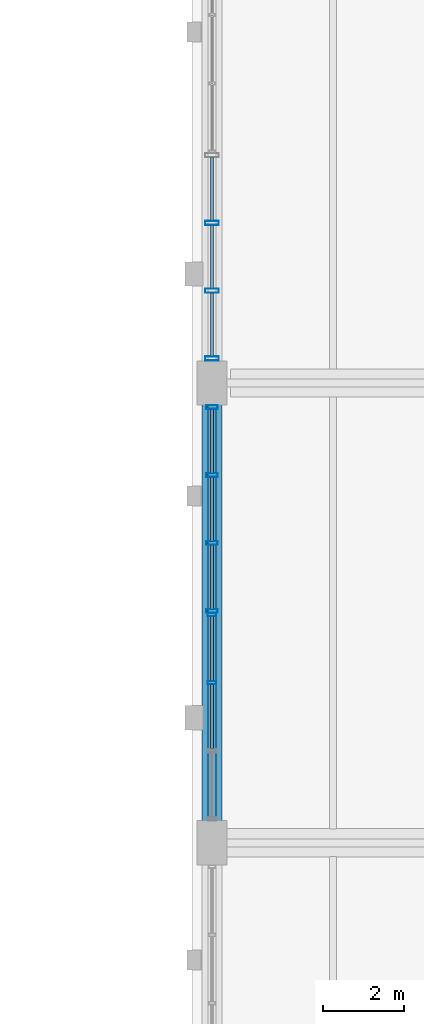
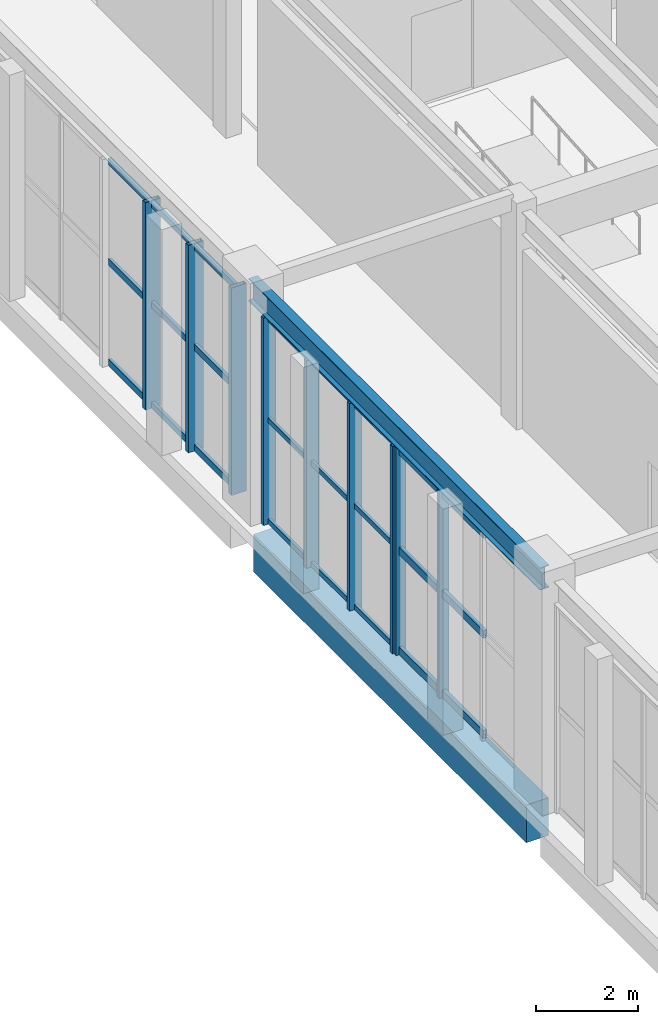
# One storey, part 45 of 113: 33 members, 2 beams, 3 elements without a shape of their own.
"""IFC4 building model written with IfcOpenShell, lengths in metres."""

from ifc_helpers import new_model, si_unit, direction, frame, origin, origin_2d, place, context, subcontext, project, spatial, rectangle, hollow_rectangle, i_section, extrude, material, layer, layer_set, material_profile, profile_set, type_object, element, aggregate, save


model = new_model("IFC4")

# Units and contexts
model_context = context("Model", 3, precision=1e-05, world=origin(), true_north=direction((0.0, 1.0)))
body_context = subcontext(model_context, "Body", "Model", "MODEL_VIEW")
ifc_project = project(units=[si_unit("LENGTHUNIT", "METRE"), si_unit("AREAUNIT", "SQUARE_METRE"), si_unit("VOLUMEUNIT", "CUBIC_METRE"), si_unit("PLANEANGLEUNIT", "RADIAN"), si_unit("MASSUNIT", "GRAM", prefix="KILO"), si_unit("POWERUNIT", "WATT"), si_unit("THERMODYNAMICTEMPERATUREUNIT", "KELVIN")], contexts=[model_context])

# Site, building, storey
site_placement = place(None, origin())
site = spatial("IfcSite", under=ifc_project, at=site_placement, CompositionType="ELEMENT")
building_placement = place(site_placement, origin())
building = spatial("IfcBuilding", under=site, at=building_placement, Name="Kelmbourne Parkland Aquatics Centre", CompositionType="ELEMENT")
storey_placement = place(building_placement, origin())
storey = spatial("IfcBuildingStorey", under=building, at=storey_placement, Name="L00", CompositionType="ELEMENT", Elevation=0.0)

# Beams
ifc_material_1 = material(Name="Concrete C40/50", Category="concrete")
ifc_material_profile_1 = material_profile(ifc_material_1, rectangle(XDim=0.5, YDim=0.89990234375, at=origin_2d()), Name="RC 500x900")
ifc_profile_set_1 = profile_set([ifc_material_profile_1], Name="Concrete C40/50")
beam_type_1 = type_object("IfcBeamType", Name="BM-G03", PredefinedType="BEAM", material=ifc_profile_set_1)
beam_1_placement = place(storey_placement, frame((96.0, 46.679931640625, -0.72998046875), z_axis=(0.0, 1.0, 0.0), x_axis=(-1.0, 0.0, 0.0)))
element("IfcBeam", 1, at=beam_1_placement, inside=storey, type_object=beam_type_1, Name="Primary girder 06-08 Grid L (L00)", PredefinedType="BEAM", context=body_context, shape_type="SweptSolid", body=[
    extrude(rectangle(XDim=0.5, YDim=0.89990234375, at=origin_2d()), origin(), (0.0, 0.0, 1.0), 10.6650390625),
])
ifc_material_2 = material(Name="Structural steel AS/NZS 3679.1 Grade 300", Category="steel")
ifc_material_profile_2 = material_profile(ifc_material_2, i_section(OverallWidth=0.208984375, OverallDepth=0.532958984375, WebThickness=0.01025390625, FlangeThickness=0.015625, at=origin_2d()), Name="530UB92.4")
ifc_profile_set_2 = profile_set([ifc_material_profile_2], Name="Structural steel AS/NZS 3679.1 Grade 300")
beam_type_2 = type_object("IfcBeamType", Name="BM-SP02", PredefinedType="SPANDREL", material=ifc_profile_set_2)
beam_2_placement = place(storey_placement, frame((96.0, 46.39990234375, 5.2333984375), z_axis=(0.0, 1.0, 0.0), x_axis=(-1.0, 0.0, 0.0)))
element("IfcBeam", 2, at=beam_2_placement, inside=storey, type_object=beam_type_2, Name="Perimeter spandrel 06-08 Grid L (L01_COL)", PredefinedType="SPANDREL", context=body_context, shape_type="SweptSolid", body=[
    extrude(i_section(OverallWidth=0.208984375, OverallDepth=0.532958984375, WebThickness=0.01025390625, FlangeThickness=0.015625, at=origin_2d()), origin(), (0.0, 0.0, 1.0), 11.400146484375),
])

# Curtain wall, members
ifc_material_3 = material(Name="Thermally broken anodised aluminium framing", Category="aluminium")
ifc_layer_1 = layer(ifc_material_3, 0.179931640625)
ifc_layer_set_1 = layer_set([ifc_layer_1], Name="Thermally broken anodised aluminium framing")
curtain_wall_type_1 = type_object("IfcCurtainWallType", Name="CW-14", PredefinedType="NOTDEFINED", material=ifc_layer_set_1)
curtain_wall_1_placement = place(storey_placement, origin())
curtain_wall_1 = element("IfcCurtainWall", 3, at=curtain_wall_1_placement, inside=storey, type_object=curtain_wall_type_1, Name="Facade curtain wall CW-L00-182", PredefinedType="NOTDEFINED")
ifc_material_profile_3 = material_profile(ifc_material_3, hollow_rectangle(XDim=0.0849609375, YDim=0.219970703125, WallThickness=0.0048828125, at=origin_2d()), Name="CW-M 85x220")
ifc_profile_set_3 = profile_set([ifc_material_profile_3], Name="Thermally broken anodised aluminium framing")
member_type_1 = type_object("IfcMemberType", Name="MB-MUL-3", PredefinedType="MULLION", material=ifc_profile_set_3)
member_1_placement = place(storey_placement, frame((96.0, 50.369873046875, 0.0), z_axis=(0.0, 0.0, 1.0), x_axis=(0.0, 1.0, 0.0)))
member_1 = element("IfcMember", 4, at=member_1_placement, type_object=member_type_1, Name="CW-L00-182 mullion 2", PredefinedType="MULLION", context=body_context, shape_type="SweptSolid", body=[
    extrude(hollow_rectangle(XDim=0.0849609375, YDim=0.219970703125, WallThickness=0.0048828125, at=origin_2d()), origin(), (0.0, 0.0, 1.0), 4.951904296875),
])
member_2_placement = place(storey_placement, frame((96.0, 52.0576171875, 0.0), z_axis=(0.0, 0.0, 1.0), x_axis=(0.0, 1.0, 0.0)))
member_2 = element("IfcMember", 5, at=member_2_placement, type_object=member_type_1, Name="CW-L00-182 mullion 3", PredefinedType="MULLION", context=body_context, shape_type="SweptSolid", body=[
    extrude(hollow_rectangle(XDim=0.0849609375, YDim=0.219970703125, WallThickness=0.0048828125, at=origin_2d()), origin(), (0.0, 0.0, 1.0), 4.951904296875),
])

ifc_layer_2 = layer(ifc_material_3, 0.179931640625)
ifc_layer_set_2 = layer_set([ifc_layer_2], Name="Thermally broken anodised aluminium framing")
curtain_wall_type_2 = type_object("IfcCurtainWallType", Name="CW-15", PredefinedType="NOTDEFINED", material=ifc_layer_set_2)
curtain_wall_2_placement = place(storey_placement, origin())
curtain_wall_2 = element("IfcCurtainWall", 6, at=curtain_wall_2_placement, inside=storey, type_object=curtain_wall_type_2, Name="Facade curtain wall CW-L00-183", PredefinedType="NOTDEFINED")
ifc_material_profile_4 = material_profile(ifc_material_3, hollow_rectangle(XDim=0.094970703125, YDim=0.280029296875, WallThickness=0.005615234375, at=origin_2d()), Name="CW-M 95x280")
ifc_profile_set_4 = profile_set([ifc_material_profile_4], Name="Thermally broken anodised aluminium framing")
member_type_2 = type_object("IfcMemberType", Name="MB-MUL-4", PredefinedType="MULLION", material=ifc_profile_set_4)
member_3_placement = place(storey_placement, frame((96.0, 52.1474609375, 0.0), z_axis=(0.0, 0.0, 1.0), x_axis=(0.0, 1.0, 0.0)))
member_3 = element("IfcMember", 7, at=member_3_placement, type_object=member_type_2, Name="CW-L00-183 mullion 0", PredefinedType="MULLION", context=body_context, shape_type="SweptSolid", body=[
    extrude(hollow_rectangle(XDim=0.094970703125, YDim=0.280029296875, WallThickness=0.005615234375, at=origin_2d()), origin(), (0.0, 0.0, 1.0), 4.951904296875),
])
member_4_placement = place(storey_placement, frame((96.0, 53.831787109375, 0.0), z_axis=(0.0, 0.0, 1.0), x_axis=(0.0, 1.0, 0.0)))
member_4 = element("IfcMember", 8, at=member_4_placement, type_object=member_type_2, Name="CW-L00-183 mullion 1", PredefinedType="MULLION", context=body_context, shape_type="SweptSolid", body=[
    extrude(hollow_rectangle(XDim=0.094970703125, YDim=0.280029296875, WallThickness=0.005615234375, at=origin_2d()), origin(), (0.0, 0.0, 1.0), 4.951904296875),
])
member_5_placement = place(storey_placement, frame((96.0, 55.51611328125, 0.0), z_axis=(0.0, 0.0, 1.0), x_axis=(0.0, 1.0, 0.0)))
member_5 = element("IfcMember", 9, at=member_5_placement, type_object=member_type_2, Name="CW-L00-183 mullion 2", PredefinedType="MULLION", context=body_context, shape_type="SweptSolid", body=[
    extrude(hollow_rectangle(XDim=0.094970703125, YDim=0.280029296875, WallThickness=0.005615234375, at=origin_2d()), origin(), (0.0, 0.0, 1.0), 4.951904296875),
])
member_6_placement = place(storey_placement, frame((96.0, 57.200439453125, 0.0), z_axis=(0.0, 0.0, 1.0), x_axis=(0.0, 1.0, 0.0)))
member_6 = element("IfcMember", 10, at=member_6_placement, type_object=member_type_2, Name="CW-L00-183 mullion 3", PredefinedType="MULLION", context=body_context, shape_type="SweptSolid", body=[
    extrude(hollow_rectangle(XDim=0.094970703125, YDim=0.280029296875, WallThickness=0.005615234375, at=origin_2d()), origin(), (0.0, 0.0, 1.0), 4.951904296875),
])

ifc_layer_3 = layer(ifc_material_3, 0.179931640625)
ifc_layer_set_3 = layer_set([ifc_layer_3], Name="Thermally broken anodised aluminium framing")
curtain_wall_type_3 = type_object("IfcCurtainWallType", Name="CW-16", PredefinedType="NOTDEFINED", material=ifc_layer_set_3)
curtain_wall_3_placement = place(storey_placement, origin())
curtain_wall_3 = element("IfcCurtainWall", 11, at=curtain_wall_3_placement, inside=storey, type_object=curtain_wall_type_3, Name="Facade curtain wall CW-L00-184", PredefinedType="NOTDEFINED")
ifc_material_profile_5 = material_profile(ifc_material_3, hollow_rectangle(XDim=0.10498046875, YDim=0.340087890625, WallThickness=0.006103515625, at=origin_2d()), Name="CW-M 105x340")
ifc_profile_set_5 = profile_set([ifc_material_profile_5], Name="Thermally broken anodised aluminium framing")
member_type_3 = type_object("IfcMemberType", Name="MB-MUL-5", PredefinedType="MULLION", material=ifc_profile_set_5)
member_7_placement = place(storey_placement, frame((96.0, 58.404541015625, 0.0), z_axis=(0.0, 0.0, 1.0), x_axis=(0.0, 1.0, 0.0)))
member_7 = element("IfcMember", 12, at=member_7_placement, type_object=member_type_3, Name="CW-L00-184 mullion 0", PredefinedType="MULLION", context=body_context, shape_type="SweptSolid", body=[
    extrude(hollow_rectangle(XDim=0.10498046875, YDim=0.340087890625, WallThickness=0.006103515625, at=origin_2d()), origin(), (0.0, 0.0, 1.0), 4.951904296875),
])
member_8_placement = place(storey_placement, frame((96.0, 60.08544921875, 0.0), z_axis=(0.0, 0.0, 1.0), x_axis=(0.0, 1.0, 0.0)))
member_8 = element("IfcMember", 13, at=member_8_placement, type_object=member_type_3, Name="CW-L00-184 mullion 1", PredefinedType="MULLION", context=body_context, shape_type="SweptSolid", body=[
    extrude(hollow_rectangle(XDim=0.10498046875, YDim=0.340087890625, WallThickness=0.006103515625, at=origin_2d()), origin(), (0.0, 0.0, 1.0), 4.951904296875),
])
member_9_placement = place(storey_placement, frame((96.0, 61.7666015625, 0.0), z_axis=(0.0, 0.0, 1.0), x_axis=(0.0, 1.0, 0.0)))
member_9 = element("IfcMember", 14, at=member_9_placement, type_object=member_type_3, Name="CW-L00-184 mullion 2", PredefinedType="MULLION", context=body_context, shape_type="SweptSolid", body=[
    extrude(hollow_rectangle(XDim=0.10498046875, YDim=0.340087890625, WallThickness=0.006103515625, at=origin_2d()), origin(), (0.0, 0.0, 1.0), 4.951904296875),
])

# Member
ifc_material_profile_6 = material_profile(ifc_material_3, hollow_rectangle(XDim=0.06494140625, YDim=0.1201171875, WallThickness=0.00341796875, at=origin_2d()), Name="CW-T 65x120")
ifc_profile_set_6 = profile_set([ifc_material_profile_6], Name="Thermally broken anodised aluminium framing")
member_type_4 = type_object("IfcMemberType", Name="MB-TRN-1", PredefinedType="USERDEFINED", material=ifc_profile_set_6)
member_10_placement = place(storey_placement, frame((96.0, 52.19091796875, 0.06298828125), z_axis=(0.0, 1.0, 0.0), x_axis=(-1.0, 0.0, 0.0)))
member_10 = element("IfcMember", 15, at=member_10_placement, type_object=member_type_4, Name="CW-L00-183 transom 0-0", ObjectType="TRANSOM", PredefinedType="USERDEFINED", context=body_context, shape_type="SweptSolid", body=[
    extrude(hollow_rectangle(XDim=0.06494140625, YDim=0.1201171875, WallThickness=0.00341796875, at=origin_2d()), origin(), (0.0, 0.0, 1.0), 1.597412109375),
])

member_11_placement = place(storey_placement, frame((96.0, 53.875244140625, 0.06298828125), z_axis=(0.0, 1.0, 0.0), x_axis=(-1.0, 0.0, 0.0)))
member_11 = element("IfcMember", 16, at=member_11_placement, type_object=member_type_4, Name="CW-L00-183 transom 0-1", ObjectType="TRANSOM", PredefinedType="USERDEFINED", context=body_context, shape_type="SweptSolid", body=[
    extrude(hollow_rectangle(XDim=0.06494140625, YDim=0.1201171875, WallThickness=0.00341796875, at=origin_2d()), origin(), (0.0, 0.0, 1.0), 1.597412109375),
])

member_12_placement = place(storey_placement, frame((96.0, 55.559814453125, 0.06298828125), z_axis=(0.0, 1.0, 0.0), x_axis=(-1.0, 0.0, 0.0)))
member_12 = element("IfcMember", 17, at=member_12_placement, type_object=member_type_4, Name="CW-L00-183 transom 0-2", ObjectType="TRANSOM", PredefinedType="USERDEFINED", context=body_context, shape_type="SweptSolid", body=[
    extrude(hollow_rectangle(XDim=0.06494140625, YDim=0.1201171875, WallThickness=0.00341796875, at=origin_2d()), origin(), (0.0, 0.0, 1.0), 1.59716796875),
])

member_13_placement = place(storey_placement, frame((96.0, 52.19091796875, 2.47607421875), z_axis=(0.0, 1.0, 0.0), x_axis=(-1.0, 0.0, 0.0)))
member_13 = element("IfcMember", 18, at=member_13_placement, type_object=member_type_4, Name="CW-L00-183 transom 1-0", ObjectType="TRANSOM", PredefinedType="USERDEFINED", context=body_context, shape_type="SweptSolid", body=[
    extrude(hollow_rectangle(XDim=0.06494140625, YDim=0.1201171875, WallThickness=0.00341796875, at=origin_2d()), origin(), (0.0, 0.0, 1.0), 1.597412109375),
])

member_14_placement = place(storey_placement, frame((96.0, 53.875244140625, 2.47607421875), z_axis=(0.0, 1.0, 0.0), x_axis=(-1.0, 0.0, 0.0)))
member_14 = element("IfcMember", 19, at=member_14_placement, type_object=member_type_4, Name="CW-L00-183 transom 1-1", ObjectType="TRANSOM", PredefinedType="USERDEFINED", context=body_context, shape_type="SweptSolid", body=[
    extrude(hollow_rectangle(XDim=0.06494140625, YDim=0.1201171875, WallThickness=0.00341796875, at=origin_2d()), origin(), (0.0, 0.0, 1.0), 1.597412109375),
])

member_15_placement = place(storey_placement, frame((96.0, 55.559814453125, 2.47607421875), z_axis=(0.0, 1.0, 0.0), x_axis=(-1.0, 0.0, 0.0)))
member_15 = element("IfcMember", 20, at=member_15_placement, type_object=member_type_4, Name="CW-L00-183 transom 1-2", ObjectType="TRANSOM", PredefinedType="USERDEFINED", context=body_context, shape_type="SweptSolid", body=[
    extrude(hollow_rectangle(XDim=0.06494140625, YDim=0.1201171875, WallThickness=0.00341796875, at=origin_2d()), origin(), (0.0, 0.0, 1.0), 1.59716796875),
])

member_16_placement = place(storey_placement, frame((96.0, 52.19091796875, 4.888916015625), z_axis=(0.0, 1.0, 0.0), x_axis=(-1.0, 0.0, 0.0)))
member_16 = element("IfcMember", 21, at=member_16_placement, type_object=member_type_4, Name="CW-L00-183 transom 2-0", ObjectType="TRANSOM", PredefinedType="USERDEFINED", context=body_context, shape_type="SweptSolid", body=[
    extrude(hollow_rectangle(XDim=0.06494140625, YDim=0.1201171875, WallThickness=0.00341796875, at=origin_2d()), origin(), (0.0, 0.0, 1.0), 1.597412109375),
])

member_17_placement = place(storey_placement, frame((96.0, 53.875244140625, 4.888916015625), z_axis=(0.0, 1.0, 0.0), x_axis=(-1.0, 0.0, 0.0)))
member_17 = element("IfcMember", 22, at=member_17_placement, type_object=member_type_4, Name="CW-L00-183 transom 2-1", ObjectType="TRANSOM", PredefinedType="USERDEFINED", context=body_context, shape_type="SweptSolid", body=[
    extrude(hollow_rectangle(XDim=0.06494140625, YDim=0.1201171875, WallThickness=0.00341796875, at=origin_2d()), origin(), (0.0, 0.0, 1.0), 1.597412109375),
])

member_18_placement = place(storey_placement, frame((96.0, 55.559814453125, 4.888916015625), z_axis=(0.0, 1.0, 0.0), x_axis=(-1.0, 0.0, 0.0)))
member_18 = element("IfcMember", 23, at=member_18_placement, type_object=member_type_4, Name="CW-L00-183 transom 2-2", ObjectType="TRANSOM", PredefinedType="USERDEFINED", context=body_context, shape_type="SweptSolid", body=[
    extrude(hollow_rectangle(XDim=0.06494140625, YDim=0.1201171875, WallThickness=0.00341796875, at=origin_2d()), origin(), (0.0, 0.0, 1.0), 1.59716796875),
])

aggregate(curtain_wall_2, [member_3, member_4, member_5, member_6, member_10, member_11, member_12, member_13, member_14, member_15, member_16, member_17, member_18])

ifc_material_profile_7 = material_profile(ifc_material_3, hollow_rectangle(XDim=0.074951171875, YDim=0.14990234375, WallThickness=0.00390625, at=origin_2d()), Name="CW-T 75x150")
ifc_profile_set_7 = profile_set([ifc_material_profile_7], Name="Thermally broken anodised aluminium framing")
member_type_5 = type_object("IfcMemberType", Name="MB-TRN-2", PredefinedType="USERDEFINED", material=ifc_profile_set_7)
member_19_placement = place(storey_placement, frame((96.0, 58.452880859375, 0.077880859375), z_axis=(0.0, 1.0, 0.0), x_axis=(-1.0, 0.0, 0.0)))
member_19 = element("IfcMember", 24, at=member_19_placement, type_object=member_type_5, Name="CW-L00-184 transom 0-0", ObjectType="TRANSOM", PredefinedType="USERDEFINED", context=body_context, shape_type="SweptSolid", body=[
    extrude(hollow_rectangle(XDim=0.074951171875, YDim=0.14990234375, WallThickness=0.00390625, at=origin_2d()), origin(), (0.0, 0.0, 1.0), 1.584228515625),
])

member_20_placement = place(storey_placement, frame((96.0, 60.134033203125, 0.077880859375), z_axis=(0.0, 1.0, 0.0), x_axis=(-1.0, 0.0, 0.0)))
member_20 = element("IfcMember", 25, at=member_20_placement, type_object=member_type_5, Name="CW-L00-184 transom 0-1", ObjectType="TRANSOM", PredefinedType="USERDEFINED", context=body_context, shape_type="SweptSolid", body=[
    extrude(hollow_rectangle(XDim=0.074951171875, YDim=0.14990234375, WallThickness=0.00390625, at=origin_2d()), origin(), (0.0, 0.0, 1.0), 1.583984375),
])

member_21_placement = place(storey_placement, frame((96.0, 61.81494140625, 0.077880859375), z_axis=(0.0, 1.0, 0.0), x_axis=(-1.0, 0.0, 0.0)))
member_21 = element("IfcMember", 26, at=member_21_placement, type_object=member_type_5, Name="CW-L00-184 transom 0-2", ObjectType="TRANSOM", PredefinedType="USERDEFINED", context=body_context, shape_type="SweptSolid", body=[
    extrude(hollow_rectangle(XDim=0.074951171875, YDim=0.14990234375, WallThickness=0.00390625, at=origin_2d()), origin(), (0.0, 0.0, 1.0), 1.583984375),
])

member_22_placement = place(storey_placement, frame((96.0, 58.452880859375, 2.47607421875), z_axis=(0.0, 1.0, 0.0), x_axis=(-1.0, 0.0, 0.0)))
member_22 = element("IfcMember", 27, at=member_22_placement, type_object=member_type_5, Name="CW-L00-184 transom 1-0", ObjectType="TRANSOM", PredefinedType="USERDEFINED", context=body_context, shape_type="SweptSolid", body=[
    extrude(hollow_rectangle(XDim=0.074951171875, YDim=0.14990234375, WallThickness=0.00390625, at=origin_2d()), origin(), (0.0, 0.0, 1.0), 1.584228515625),
])

member_23_placement = place(storey_placement, frame((96.0, 60.134033203125, 2.47607421875), z_axis=(0.0, 1.0, 0.0), x_axis=(-1.0, 0.0, 0.0)))
member_23 = element("IfcMember", 28, at=member_23_placement, type_object=member_type_5, Name="CW-L00-184 transom 1-1", ObjectType="TRANSOM", PredefinedType="USERDEFINED", context=body_context, shape_type="SweptSolid", body=[
    extrude(hollow_rectangle(XDim=0.074951171875, YDim=0.14990234375, WallThickness=0.00390625, at=origin_2d()), origin(), (0.0, 0.0, 1.0), 1.583984375),
])

member_24_placement = place(storey_placement, frame((96.0, 61.81494140625, 2.47607421875), z_axis=(0.0, 1.0, 0.0), x_axis=(-1.0, 0.0, 0.0)))
member_24 = element("IfcMember", 29, at=member_24_placement, type_object=member_type_5, Name="CW-L00-184 transom 1-2", ObjectType="TRANSOM", PredefinedType="USERDEFINED", context=body_context, shape_type="SweptSolid", body=[
    extrude(hollow_rectangle(XDim=0.074951171875, YDim=0.14990234375, WallThickness=0.00390625, at=origin_2d()), origin(), (0.0, 0.0, 1.0), 1.583984375),
])

member_25_placement = place(storey_placement, frame((96.0, 58.452880859375, 4.8740234375), z_axis=(0.0, 1.0, 0.0), x_axis=(-1.0, 0.0, 0.0)))
member_25 = element("IfcMember", 30, at=member_25_placement, type_object=member_type_5, Name="CW-L00-184 transom 2-0", ObjectType="TRANSOM", PredefinedType="USERDEFINED", context=body_context, shape_type="SweptSolid", body=[
    extrude(hollow_rectangle(XDim=0.074951171875, YDim=0.14990234375, WallThickness=0.00390625, at=origin_2d()), origin(), (0.0, 0.0, 1.0), 1.584228515625),
])

member_26_placement = place(storey_placement, frame((96.0, 60.134033203125, 4.8740234375), z_axis=(0.0, 1.0, 0.0), x_axis=(-1.0, 0.0, 0.0)))
member_26 = element("IfcMember", 31, at=member_26_placement, type_object=member_type_5, Name="CW-L00-184 transom 2-1", ObjectType="TRANSOM", PredefinedType="USERDEFINED", context=body_context, shape_type="SweptSolid", body=[
    extrude(hollow_rectangle(XDim=0.074951171875, YDim=0.14990234375, WallThickness=0.00390625, at=origin_2d()), origin(), (0.0, 0.0, 1.0), 1.583984375),
])

member_27_placement = place(storey_placement, frame((96.0, 61.81494140625, 4.8740234375), z_axis=(0.0, 1.0, 0.0), x_axis=(-1.0, 0.0, 0.0)))
member_27 = element("IfcMember", 32, at=member_27_placement, type_object=member_type_5, Name="CW-L00-184 transom 2-2", ObjectType="TRANSOM", PredefinedType="USERDEFINED", context=body_context, shape_type="SweptSolid", body=[
    extrude(hollow_rectangle(XDim=0.074951171875, YDim=0.14990234375, WallThickness=0.00390625, at=origin_2d()), origin(), (0.0, 0.0, 1.0), 1.583984375),
])

aggregate(curtain_wall_3, [member_7, member_8, member_9, member_19, member_20, member_21, member_22, member_23, member_24, member_25, member_26, member_27])

ifc_material_profile_8 = material_profile(ifc_material_3, hollow_rectangle(XDim=0.0849609375, YDim=0.179931640625, WallThickness=0.00439453125, at=origin_2d()), Name="CW-T 85x180")
ifc_profile_set_8 = profile_set([ifc_material_profile_8], Name="Thermally broken anodised aluminium framing")
member_type_6 = type_object("IfcMemberType", Name="MB-TRN-3", PredefinedType="USERDEFINED", material=ifc_profile_set_8)
member_28_placement = place(storey_placement, frame((96.0, 48.720703125, 0.093017578125), z_axis=(0.0, 1.0, 0.0), x_axis=(-1.0, 0.0, 0.0)))
member_28 = element("IfcMember", 33, at=member_28_placement, type_object=member_type_6, Name="CW-L00-182 transom 0-1", ObjectType="TRANSOM", PredefinedType="USERDEFINED", context=body_context, shape_type="SweptSolid", body=[
    extrude(hollow_rectangle(XDim=0.0849609375, YDim=0.179931640625, WallThickness=0.00439453125, at=origin_2d()), origin(), (0.0, 0.0, 1.0), 1.610595703125),
])

member_29_placement = place(storey_placement, frame((96.0, 50.408203125, 0.093017578125), z_axis=(0.0, 1.0, 0.0), x_axis=(-1.0, 0.0, 0.0)))
member_29 = element("IfcMember", 34, at=member_29_placement, type_object=member_type_6, Name="CW-L00-182 transom 0-2", ObjectType="TRANSOM", PredefinedType="USERDEFINED", context=body_context, shape_type="SweptSolid", body=[
    extrude(hollow_rectangle(XDim=0.0849609375, YDim=0.179931640625, WallThickness=0.00439453125, at=origin_2d()), origin(), (0.0, 0.0, 1.0), 1.61083984375),
])

member_30_placement = place(storey_placement, frame((96.0, 48.720703125, 2.47607421875), z_axis=(0.0, 1.0, 0.0), x_axis=(-1.0, 0.0, 0.0)))
member_30 = element("IfcMember", 35, at=member_30_placement, type_object=member_type_6, Name="CW-L00-182 transom 1-1", ObjectType="TRANSOM", PredefinedType="USERDEFINED", context=body_context, shape_type="SweptSolid", body=[
    extrude(hollow_rectangle(XDim=0.0849609375, YDim=0.179931640625, WallThickness=0.00439453125, at=origin_2d()), origin(), (0.0, 0.0, 1.0), 1.610595703125),
])

member_31_placement = place(storey_placement, frame((96.0, 50.408203125, 2.47607421875), z_axis=(0.0, 1.0, 0.0), x_axis=(-1.0, 0.0, 0.0)))
member_31 = element("IfcMember", 36, at=member_31_placement, type_object=member_type_6, Name="CW-L00-182 transom 1-2", ObjectType="TRANSOM", PredefinedType="USERDEFINED", context=body_context, shape_type="SweptSolid", body=[
    extrude(hollow_rectangle(XDim=0.0849609375, YDim=0.179931640625, WallThickness=0.00439453125, at=origin_2d()), origin(), (0.0, 0.0, 1.0), 1.61083984375),
])

member_32_placement = place(storey_placement, frame((96.0, 48.720703125, 4.85888671875), z_axis=(0.0, 1.0, 0.0), x_axis=(-1.0, 0.0, 0.0)))
member_32 = element("IfcMember", 37, at=member_32_placement, type_object=member_type_6, Name="CW-L00-182 transom 2-1", ObjectType="TRANSOM", PredefinedType="USERDEFINED", context=body_context, shape_type="SweptSolid", body=[
    extrude(hollow_rectangle(XDim=0.0849609375, YDim=0.179931640625, WallThickness=0.00439453125, at=origin_2d()), origin(), (0.0, 0.0, 1.0), 1.610595703125),
])

member_33_placement = place(storey_placement, frame((96.0, 50.408203125, 4.85888671875), z_axis=(0.0, 1.0, 0.0), x_axis=(-1.0, 0.0, 0.0)))
member_33 = element("IfcMember", 38, at=member_33_placement, type_object=member_type_6, Name="CW-L00-182 transom 2-2", ObjectType="TRANSOM", PredefinedType="USERDEFINED", context=body_context, shape_type="SweptSolid", body=[
    extrude(hollow_rectangle(XDim=0.0849609375, YDim=0.179931640625, WallThickness=0.00439453125, at=origin_2d()), origin(), (0.0, 0.0, 1.0), 1.61083984375),
])

aggregate(curtain_wall_1, [member_1, member_2, member_28, member_29, member_30, member_31, member_32, member_33])

save(model, "model.ifc")
